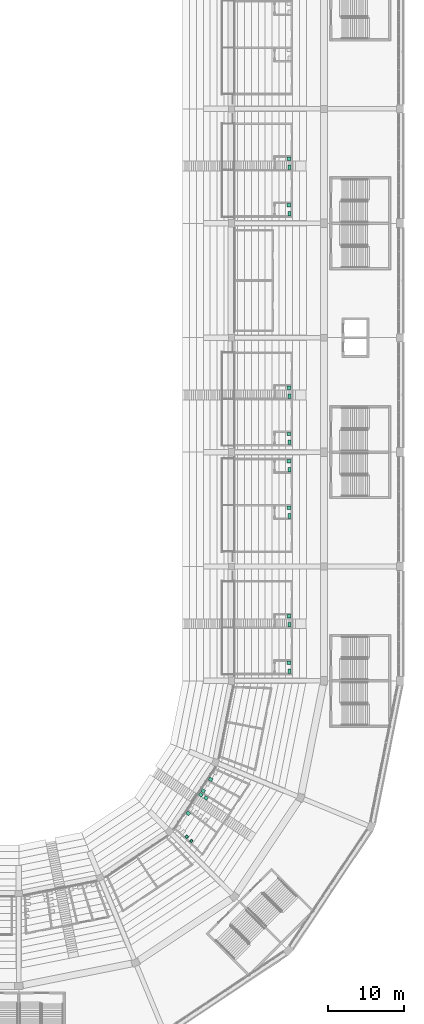
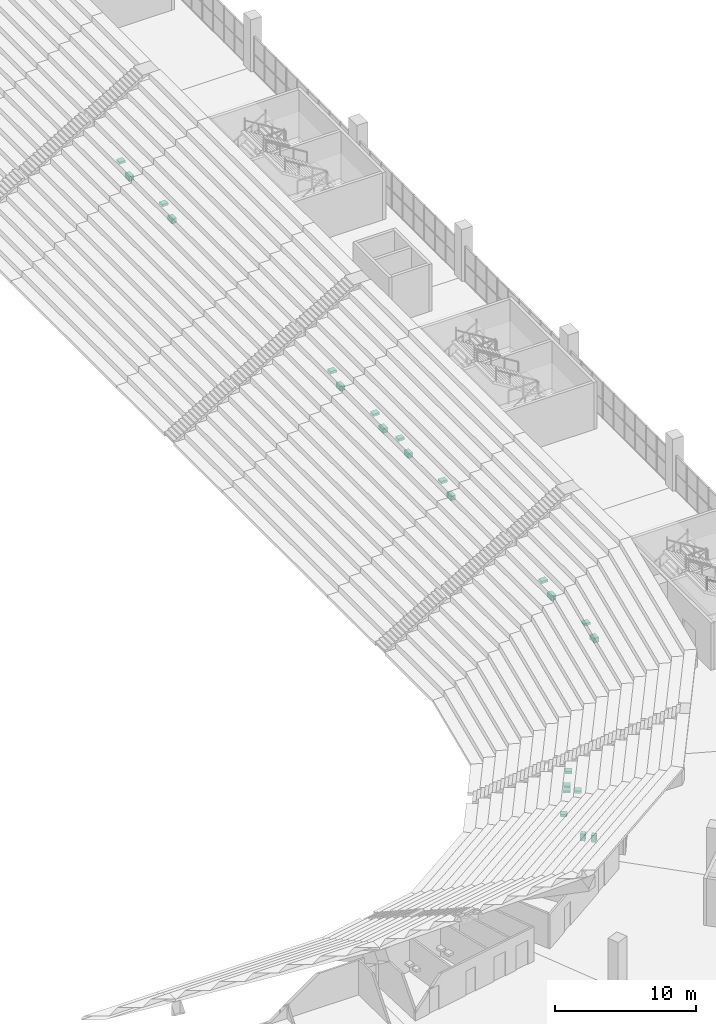
# One storey, part 247 of 249: 23 sanitary terminals.
"""IFC4 building model written with IfcOpenShell, lengths in metres."""

from ifc_helpers import new_model, si_unit, direction, frame, origin, origin_2d, place, context, subcontext, project, spatial, rectangle, extrude, material, type_object, element, save


model = new_model("IFC4")

# Units and contexts
model_context = context("Model", 3, precision=1e-05, world=origin(), true_north=direction((0.0, 1.0)))
body_context = subcontext(model_context, "Body", "Model", "MODEL_VIEW")
ifc_project = project(units=[si_unit("LENGTHUNIT", "METRE"), si_unit("AREAUNIT", "SQUARE_METRE"), si_unit("VOLUMEUNIT", "CUBIC_METRE"), si_unit("PLANEANGLEUNIT", "RADIAN"), si_unit("MASSUNIT", "GRAM", prefix="KILO")], contexts=[model_context])

# Site, building, storey
site_placement = place(None, origin())
site = spatial("IfcSite", under=ifc_project, at=site_placement, CompositionType="ELEMENT")
building_placement = place(site_placement, origin())
building = spatial("IfcBuilding", under=site, at=building_placement, Name="Ogive Plaza Stadium", CompositionType="ELEMENT")
storey_placement = place(building_placement, frame((0.0, 0.0, 13.5)))
storey = spatial("IfcBuildingStorey", under=building, at=storey_placement, Name="L03", CompositionType="ELEMENT", Elevation=13.5)

# Sanitary terminals
ifc_material_1 = material(Name="Vitreous china", Category="ceramic")
sanitary_terminal_type_1 = type_object("IfcSanitaryTerminalType", Name="Lavatory", PredefinedType="WASHHANDBASIN", material=ifc_material_1)
for number, where, z_axis, x_axis, name in (
    (1, (56.208251953125, -69.8671875, 0.7998046875), (0.0, 0.0, 1.0), (0.792622840132, -0.609712254511, 0.0), "Lavatory L03-041"),
    (2, (57.86669921875, -67.428466796875, 0.7998046875), (0.0, 0.0, 1.0), (0.852021277616, -0.523507156101, 0.0), "Lavatory L03-042"),
    (3, (58.548095703125, -67.84716796875, 0.7998046875), (0.0, 0.0, 1.0), (0.852021277616, -0.523507156101, 0.0), "Lavatory L03-042"),
    (4, (69.425048828125, 9.875, 0.7998046875), (0.0, 0.0, 1.0), (-1.0, 0.0, 0.0), "Lavatory L03-015"),
    (5, (69.425048828125, 15.949951171875, 0.7998046875), (0.0, 0.0, 1.0), (-1.0, 0.0, 0.0), "Lavatory L03-017"),
    (6, (69.425048828125, -20.125, 0.7998046875), (0.0, 0.0, 1.0), (-1.0, 0.0, 0.0), "Lavatory L03-023"),
    (7, (69.425048828125, -14.050048828125, 0.7998046875), (0.0, 0.0, 1.0), (-1.0, 0.0, 0.0), "Lavatory L03-025"),
    (8, (69.425048828125, -23.699951171875, 0.7998046875), (0.0, 0.0, 1.0), (-1.0, 0.0, 0.0), "Lavatory L03-029"),
    (9, (69.425048828125, -29.77490234375, 0.7998046875), (0.0, 0.0, 1.0), (-1.0, 0.0, 0.0), "Lavatory L03-031"),
    (10, (69.425048828125, -50.125, 0.7998046875), (0.0, 0.0, 1.0), (-1.0, 0.0, 0.0), "Lavatory L03-035"),
    (11, (69.425048828125, -44.050048828125, 0.7998046875), (0.0, 0.0, 1.0), (-1.0, 0.0, 0.0), "Lavatory L03-037"),
    (12, (58.1787109375, -66.92822265625, 0.7998046875), (0.0, 0.0, 1.0), (0.854606592854, -0.519276007005, 0.0), "Lavatory L03-043"),
    (13, (59.169189453125, -65.41748046875, 0.7998046875), (0.0, 0.0, 1.0), (0.886013482727, -0.463659474643, 0.0), "Lavatory L03-044"),
):
    element("IfcSanitaryTerminal", number, at=place(storey_placement, frame(where, z_axis=z_axis, x_axis=x_axis)), inside=storey, type_object=sanitary_terminal_type_1, Name=name, PredefinedType="WASHHANDBASIN", context=body_context, shape_type="SweptSolid", body=[
        extrude(rectangle(XDim=0.5, YDim=0.449951171875, at=origin_2d()), origin(), (0.0, 0.0, 1.0), 0.199951171875),
    ])
ifc_material_2 = material(Name="Vitreous china", Category="ceramic")
sanitary_terminal_type_2 = type_object("IfcSanitaryTerminalType", Name="Urinal", PredefinedType="URINAL", material=ifc_material_2)
for number, where, z_axis, x_axis, name in (
    (14, (56.01318359375, -72.939208984375, 0.599853515625), (0.0, 0.0, 1.0), (0.728841970378, -0.684681956982, 0.0), "Urinal L03-041"),
    (15, (56.59619140625, -73.487060546875, 0.599853515625), (0.0, 0.0, 1.0), (0.728841970378, -0.684681956982, 0.0), "Urinal L03-041"),
):
    element("IfcSanitaryTerminal", number, at=place(storey_placement, frame(where, z_axis=z_axis, x_axis=x_axis)), inside=storey, type_object=sanitary_terminal_type_2, Name=name, PredefinedType="URINAL", context=body_context, shape_type="SweptSolid", body=[
        extrude(rectangle(XDim=0.35009765625, YDim=0.35009765625, at=origin_2d()), origin(), (0.0, 0.0, 1.0), 0.60009765625),
    ])
ifc_material_3 = material(Name="Vitreous china", Category="ceramic")
sanitary_terminal_type_3 = type_object("IfcSanitaryTerminalType", Name="Water closet", PredefinedType="TOILETPAN", material=ifc_material_3)
for number, where, z_axis, x_axis, name in (
    (16, (69.47509765625, 8.77490234375, 0.0), (0.0, 0.0, 1.0), (-1.0, 0.0, 0.0), "Water closet L03-015"),
    (17, (69.47509765625, 14.85009765625, 0.0), (0.0, 0.0, 1.0), (-1.0, 0.0, 0.0), "Water closet L03-017"),
    (18, (69.47509765625, -21.22509765625, 0.0), (0.0, 0.0, 1.0), (-1.0, 0.0, 0.0), "Water closet L03-023"),
    (19, (69.47509765625, -15.14990234375, 0.0), (0.0, 0.0, 1.0), (-1.0, 0.0, 0.0), "Water closet L03-025"),
    (20, (69.47509765625, -24.800048828125, 0.0), (0.0, 0.0, 1.0), (-1.0, 0.0, 0.0), "Water closet L03-029"),
    (21, (69.47509765625, -30.875, 0.0), (0.0, 0.0, 1.0), (-1.0, 0.0, 0.0), "Water closet L03-031"),
    (22, (69.47509765625, -51.22509765625, 0.0), (0.0, 0.0, 1.0), (-1.0, 0.0, 0.0), "Water closet L03-035"),
    (23, (69.47509765625, -45.14990234375, 0.0), (0.0, 0.0, 1.0), (-1.0, 0.0, 0.0), "Water closet L03-037"),
):
    element("IfcSanitaryTerminal", number, at=place(storey_placement, frame(where, z_axis=z_axis, x_axis=x_axis)), inside=storey, type_object=sanitary_terminal_type_3, Name=name, PredefinedType="TOILETPAN", context=body_context, shape_type="SweptSolid", body=[
        extrude(rectangle(XDim=0.39990234375, YDim=0.60009765625, at=origin_2d()), origin(), (0.0, 0.0, 1.0), 0.39990234375),
    ])

save(model, "model.ifc")
